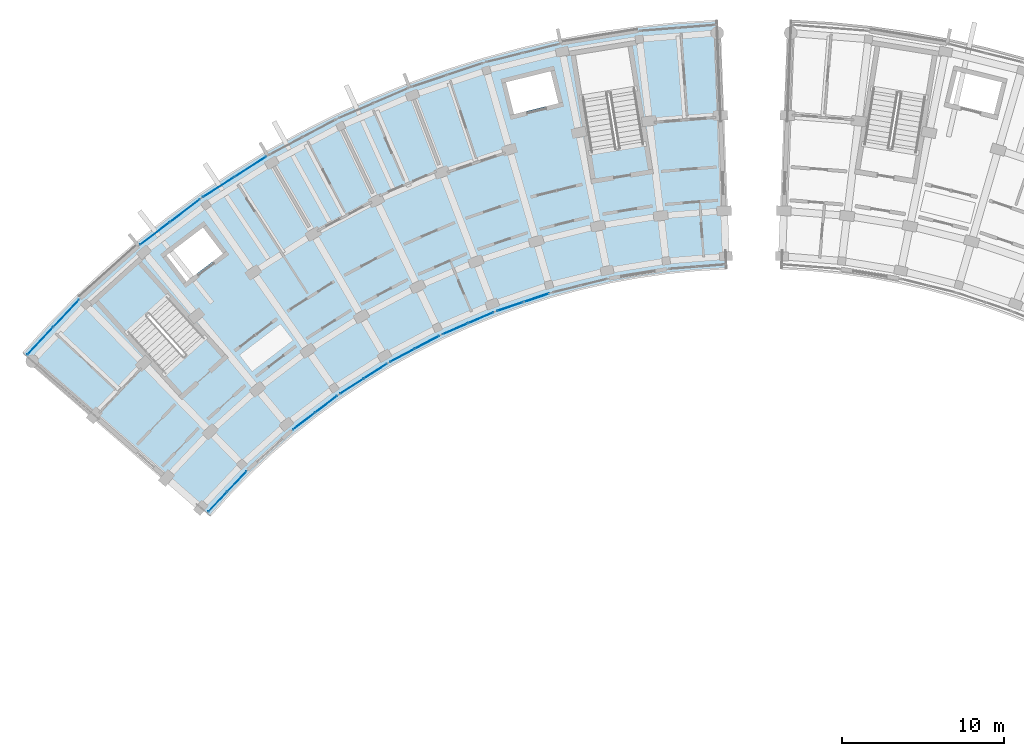
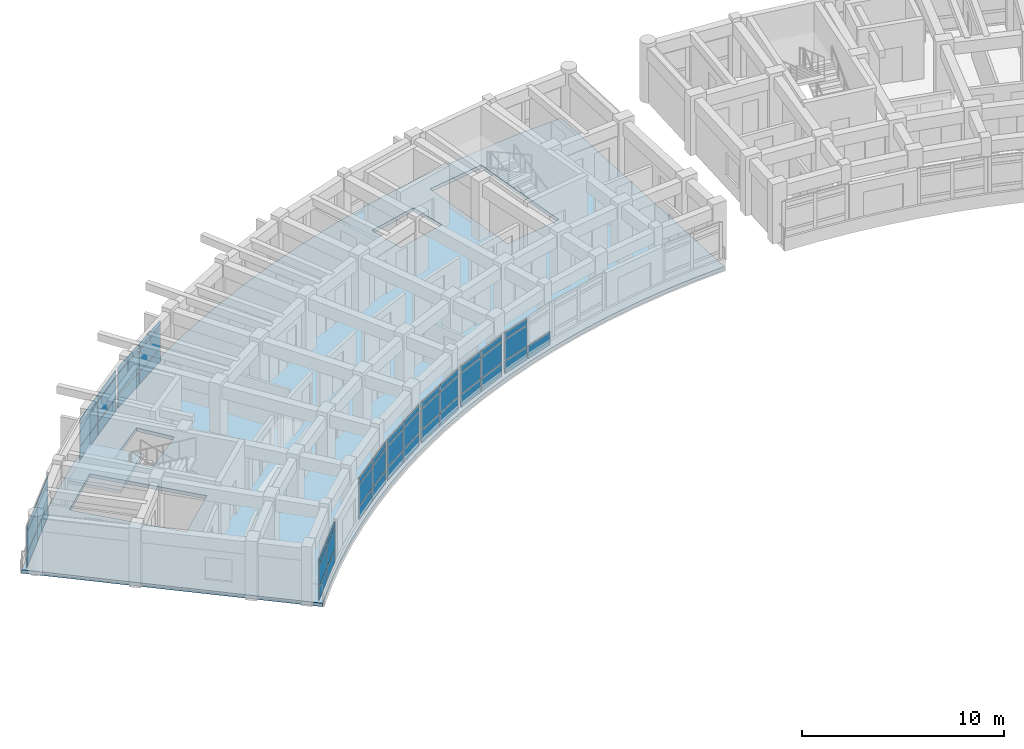
# One storey, part 45 of 83: 52 plates, 2 slabs, 10 elements without a shape of their own.
"""IFC4 building model written with IfcOpenShell, lengths in metres."""

from ifc_helpers import new_model, si_unit, direction, frame, origin, origin_2d, place, context, subcontext, project, spatial, polyline, rectangle, outline, extrude, material, layer, layer_set, type_object, element, aggregate, save


model = new_model("IFC4")

# Units and contexts
model_context = context("Model", 3, precision=1e-05, world=origin(), true_north=direction((0.0, 1.0)))
body_context = subcontext(model_context, "Body", "Model", "MODEL_VIEW")
ifc_project = project(units=[si_unit("LENGTHUNIT", "METRE"), si_unit("AREAUNIT", "SQUARE_METRE"), si_unit("VOLUMEUNIT", "CUBIC_METRE"), si_unit("PLANEANGLEUNIT", "RADIAN"), si_unit("MASSUNIT", "GRAM", prefix="KILO")], contexts=[model_context])

# Site, building, storey
site_placement = place(None, origin())
site = spatial("IfcSite", under=ifc_project, at=site_placement, CompositionType="ELEMENT")
building_placement = place(site_placement, origin())
building = spatial("IfcBuilding", under=site, at=building_placement, Name="Zimvara Arc Housing Community", CompositionType="ELEMENT")
storey_placement = place(building_placement, frame((0.0, 0.0, 4.5)))
storey = spatial("IfcBuildingStorey", under=building, at=storey_placement, Name="L01", CompositionType="ELEMENT", Elevation=4.5)

# Curtain wall, plates
ifc_material_1 = material(Name="Anodised Aluminium AW-6063", Category="aluminium")
curtain_wall_type_1 = type_object("IfcCurtainWallType", Name="CW-SYS-04", PredefinedType="USERDEFINED", material=ifc_material_1)
curtain_wall_1_placement = place(storey_placement, origin())
curtain_wall_1 = element("IfcCurtainWall", 1, at=curtain_wall_1_placement, inside=storey, type_object=curtain_wall_type_1, Name="cw:blkA:L01:in:b2", ObjectType="CURTAIN WALL", PredefinedType="USERDEFINED")
ifc_material_2 = material(Name="Pale-Gold Anodised Aluminium Spandrel Panel", Category="aluminium")
ifc_layer_1 = layer(ifc_material_2, 0.035888671875)
ifc_layer_set_1 = layer_set([ifc_layer_1], Name="Pale-Gold Anodised Aluminium Spandrel Panel")
plate_type_1 = type_object("IfcPlateType", Name="CWP-GLD-36", PredefinedType="CURTAIN_PANEL", material=ifc_layer_set_1)
plate_1_placement = place(storey_placement, frame((17.295654296875, 79.4404296875, 0.06494140625), z_axis=(0.0, 0.0, 1.0), x_axis=(0.795473543119, 0.605988318533, 0.0)))
plate_1 = element("IfcPlate", 2, at=plate_1_placement, type_object=plate_type_1, Name="CW04 panel 1.1", PredefinedType="CURTAIN_PANEL", context=body_context, shape_type="SweptSolid", body=[
    extrude(rectangle(XDim=1.664306640625, YDim=0.035888671875, at=origin_2d()), origin(), (0.0, 0.0, 1.0), 0.75244140625),
])
plate_2_placement = place(storey_placement, frame((17.295654296875, 79.4404296875, 0.88232421875), z_axis=(0.0, 0.0, 1.0), x_axis=(0.795473543119, 0.605988318533, 0.0)))
plate_2 = element("IfcPlate", 3, at=plate_2_placement, type_object=plate_type_1, Name="CW04 panel 1.2", PredefinedType="CURTAIN_PANEL", context=body_context, shape_type="SweptSolid", body=[
    extrude(rectangle(XDim=1.664306640625, YDim=0.035888671875, at=origin_2d()), origin(), (0.0, 0.0, 1.0), 1.235107421875),
])
plate_3_placement = place(storey_placement, frame((17.295654296875, 79.4404296875, 2.182373046875), z_axis=(0.0, 0.0, 1.0), x_axis=(0.795473543119, 0.605988318533, 0.0)))
plate_3 = element("IfcPlate", 4, at=plate_3_placement, type_object=plate_type_1, Name="CW04 panel 1.3", PredefinedType="CURTAIN_PANEL", context=body_context, shape_type="SweptSolid", body=[
    extrude(rectangle(XDim=1.664306640625, YDim=0.035888671875, at=origin_2d()), origin(), (0.0, 0.0, 1.0), 0.3525390625),
])
plate_4_placement = place(storey_placement, frame((18.671142578125, 80.48828125, 0.06494140625), z_axis=(0.0, 0.0, 1.0), x_axis=(0.795473543119, 0.605988318533, 0.0)))
plate_4 = element("IfcPlate", 5, at=plate_4_placement, type_object=plate_type_1, Name="CW04 panel 2.1", PredefinedType="CURTAIN_PANEL", context=body_context, shape_type="SweptSolid", body=[
    extrude(rectangle(XDim=1.664306640625, YDim=0.035888671875, at=origin_2d()), origin(), (0.0, 0.0, 1.0), 0.75244140625),
])
plate_5_placement = place(storey_placement, frame((18.671142578125, 80.48828125, 0.88232421875), z_axis=(0.0, 0.0, 1.0), x_axis=(0.795473543119, 0.605988318533, 0.0)))
plate_5 = element("IfcPlate", 6, at=plate_5_placement, type_object=plate_type_1, Name="CW04 panel 2.2", PredefinedType="CURTAIN_PANEL", context=body_context, shape_type="SweptSolid", body=[
    extrude(rectangle(XDim=1.664306640625, YDim=0.035888671875, at=origin_2d()), origin(), (0.0, 0.0, 1.0), 1.235107421875),
])
plate_6_placement = place(storey_placement, frame((18.671142578125, 80.48828125, 2.182373046875), z_axis=(0.0, 0.0, 1.0), x_axis=(0.795473543119, 0.605988318533, 0.0)))
plate_6 = element("IfcPlate", 7, at=plate_6_placement, type_object=plate_type_1, Name="CW04 panel 2.3", PredefinedType="CURTAIN_PANEL", context=body_context, shape_type="SweptSolid", body=[
    extrude(rectangle(XDim=1.664306640625, YDim=0.035888671875, at=origin_2d()), origin(), (0.0, 0.0, 1.0), 0.3525390625),
])
aggregate(curtain_wall_1, [plate_1, plate_2, plate_3, plate_4, plate_5, plate_6])

ifc_material_3 = material(Name="Anodised Aluminium AW-6063", Category="aluminium")
curtain_wall_type_2 = type_object("IfcCurtainWallType", Name="CW-SYS-08", PredefinedType="USERDEFINED", material=ifc_material_3)
curtain_wall_2_placement = place(storey_placement, origin())
curtain_wall_2 = element("IfcCurtainWall", 8, at=curtain_wall_2_placement, inside=storey, type_object=curtain_wall_type_2, Name="cw:blkA:L01:in:b4", ObjectType="CURTAIN WALL", PredefinedType="USERDEFINED")
plate_7_placement = place(storey_placement, frame((23.346923828125, 83.48095703125, 0.06494140625), z_axis=(0.0, 0.0, 1.0), x_axis=(0.88343981815, 0.468544648573, 0.0)))
plate_7 = element("IfcPlate", 9, at=plate_7_placement, type_object=plate_type_1, Name="CW08 panel 1.1", PredefinedType="CURTAIN_PANEL", context=body_context, shape_type="SweptSolid", body=[
    extrude(rectangle(XDim=1.664306640625, YDim=0.035888671875, at=origin_2d()), origin(), (0.0, 0.0, 1.0), 0.75244140625),
])
plate_8_placement = place(storey_placement, frame((23.346923828125, 83.48095703125, 0.88232421875), z_axis=(0.0, 0.0, 1.0), x_axis=(0.88343981815, 0.468544648573, 0.0)))
plate_8 = element("IfcPlate", 10, at=plate_8_placement, type_object=plate_type_1, Name="CW08 panel 1.2", PredefinedType="CURTAIN_PANEL", context=body_context, shape_type="SweptSolid", body=[
    extrude(rectangle(XDim=1.664306640625, YDim=0.035888671875, at=origin_2d()), origin(), (0.0, 0.0, 1.0), 1.235107421875),
])
plate_9_placement = place(storey_placement, frame((23.346923828125, 83.48095703125, 2.182373046875), z_axis=(0.0, 0.0, 1.0), x_axis=(0.88343981815, 0.468544648573, 0.0)))
plate_9 = element("IfcPlate", 11, at=plate_9_placement, type_object=plate_type_1, Name="CW08 panel 1.3", PredefinedType="CURTAIN_PANEL", context=body_context, shape_type="SweptSolid", body=[
    extrude(rectangle(XDim=1.664306640625, YDim=0.035888671875, at=origin_2d()), origin(), (0.0, 0.0, 1.0), 0.3525390625),
])
plate_10_placement = place(storey_placement, frame((24.874755859375, 84.291259765625, 0.06494140625), z_axis=(0.0, 0.0, 1.0), x_axis=(0.88343981815, 0.468544648573, 0.0)))
plate_10 = element("IfcPlate", 12, at=plate_10_placement, type_object=plate_type_1, Name="CW08 panel 2.1", PredefinedType="CURTAIN_PANEL", context=body_context, shape_type="SweptSolid", body=[
    extrude(rectangle(XDim=1.664306640625, YDim=0.035888671875, at=origin_2d()), origin(), (0.0, 0.0, 1.0), 0.75244140625),
])
plate_11_placement = place(storey_placement, frame((24.874755859375, 84.291259765625, 0.88232421875), z_axis=(0.0, 0.0, 1.0), x_axis=(0.88343981815, 0.468544648573, 0.0)))
plate_11 = element("IfcPlate", 13, at=plate_11_placement, type_object=plate_type_1, Name="CW08 panel 2.2", PredefinedType="CURTAIN_PANEL", context=body_context, shape_type="SweptSolid", body=[
    extrude(rectangle(XDim=1.664306640625, YDim=0.035888671875, at=origin_2d()), origin(), (0.0, 0.0, 1.0), 1.235107421875),
])
plate_12_placement = place(storey_placement, frame((24.874755859375, 84.291259765625, 2.182373046875), z_axis=(0.0, 0.0, 1.0), x_axis=(0.88343981815, 0.468544648573, 0.0)))
plate_12 = element("IfcPlate", 14, at=plate_12_placement, type_object=plate_type_1, Name="CW08 panel 2.3", PredefinedType="CURTAIN_PANEL", context=body_context, shape_type="SweptSolid", body=[
    extrude(rectangle(XDim=1.664306640625, YDim=0.035888671875, at=origin_2d()), origin(), (0.0, 0.0, 1.0), 0.3525390625),
])
aggregate(curtain_wall_2, [plate_7, plate_8, plate_9, plate_10, plate_11, plate_12])

curtain_wall_3_placement = place(storey_placement, origin())
curtain_wall_3 = element("IfcCurtainWall", 15, at=curtain_wall_3_placement, inside=storey, type_object=curtain_wall_type_1, Name="cw:blkA:L01:in:b6", ObjectType="CURTAIN WALL", PredefinedType="USERDEFINED")
plate_13_placement = place(storey_placement, frame((29.97509765625, 86.483642578125, 0.06494140625), z_axis=(0.0, 0.0, 1.0), x_axis=(0.94787908732, 0.318630249383, 0.0)))
plate_13 = element("IfcPlate", 16, at=plate_13_placement, type_object=plate_type_1, Name="CW04 panel 1.1", PredefinedType="CURTAIN_PANEL", context=body_context, shape_type="SweptSolid", body=[
    extrude(rectangle(XDim=1.664306640625, YDim=0.035888671875, at=origin_2d()), origin(), (0.0, 0.0, 1.0), 0.75244140625),
])
plate_14_placement = place(storey_placement, frame((29.97509765625, 86.483642578125, 0.88232421875), z_axis=(0.0, 0.0, 1.0), x_axis=(0.94787908732, 0.318630249383, 0.0)))
plate_14 = element("IfcPlate", 17, at=plate_14_placement, type_object=plate_type_1, Name="CW04 panel 1.2", PredefinedType="CURTAIN_PANEL", context=body_context, shape_type="SweptSolid", body=[
    extrude(rectangle(XDim=1.664306640625, YDim=0.035888671875, at=origin_2d()), origin(), (0.0, 0.0, 1.0), 1.235107421875),
])
plate_15_placement = place(storey_placement, frame((29.97509765625, 86.483642578125, 2.182373046875), z_axis=(0.0, 0.0, 1.0), x_axis=(0.94787908732, 0.318630249383, 0.0)))
plate_15 = element("IfcPlate", 18, at=plate_15_placement, type_object=plate_type_1, Name="CW04 panel 1.3", PredefinedType="CURTAIN_PANEL", context=body_context, shape_type="SweptSolid", body=[
    extrude(rectangle(XDim=1.664306640625, YDim=0.035888671875, at=origin_2d()), origin(), (0.0, 0.0, 1.0), 0.3525390625),
])
plate_16_placement = place(storey_placement, frame((31.6142578125, 87.03466796875, 0.06494140625), z_axis=(0.0, 0.0, 1.0), x_axis=(0.94787908732, 0.318630249383, 0.0)))
plate_16 = element("IfcPlate", 19, at=plate_16_placement, type_object=plate_type_1, Name="CW04 panel 2.1", PredefinedType="CURTAIN_PANEL", context=body_context, shape_type="SweptSolid", body=[
    extrude(rectangle(XDim=1.664306640625, YDim=0.035888671875, at=origin_2d()), origin(), (0.0, 0.0, 1.0), 0.75244140625),
])
aggregate(curtain_wall_3, [plate_13, plate_14, plate_15, plate_16])

ifc_material_4 = material(Name="Anodised Aluminium AW-6063", Category="aluminium")
curtain_wall_type_3 = type_object("IfcCurtainWallType", Name="CW-SYS-01", PredefinedType="USERDEFINED", material=ifc_material_4)
curtain_wall_4_placement = place(storey_placement, origin())
curtain_wall_4 = element("IfcCurtainWall", 20, at=curtain_wall_4_placement, inside=storey, type_object=curtain_wall_type_3, Name="cw:blkA:L01:out:b0", ObjectType="CURTAIN WALL", PredefinedType="USERDEFINED")
ifc_material_5 = material(Name="Solar Control Low-E Double Glazing", Category="glass")
ifc_layer_2 = layer(ifc_material_5, 0.02392578125)
ifc_layer_set_2 = layer_set([ifc_layer_2], Name="Solar Control Low-E Double Glazing")
plate_type_2 = type_object("IfcPlateType", Name="CWP-GLZ-24", PredefinedType="CURTAIN_PANEL", material=ifc_layer_set_2)
plate_17_placement = place(storey_placement, frame((1.049072265625, 84.3720703125, 0.06494140625), z_axis=(0.0, 0.0, 1.0), x_axis=(0.686326416495, 0.727293647725, 0.0)))
plate_17 = element("IfcPlate", 21, at=plate_17_placement, type_object=plate_type_2, Name="CW01 panel 1.1", PredefinedType="CURTAIN_PANEL", context=body_context, shape_type="SweptSolid", body=[
    extrude(rectangle(XDim=2.266845703125, YDim=0.02392578125, at=origin_2d()), origin(), (0.0, 0.0, 1.0), 0.75244140625),
])
plate_18_placement = place(storey_placement, frame((1.049072265625, 84.3720703125, 0.88232421875), z_axis=(0.0, 0.0, 1.0), x_axis=(0.686326416495, 0.727293647725, 0.0)))
plate_18 = element("IfcPlate", 22, at=plate_18_placement, type_object=plate_type_2, Name="CW01 panel 1.2", PredefinedType="CURTAIN_PANEL", context=body_context, shape_type="SweptSolid", body=[
    extrude(rectangle(XDim=2.266845703125, YDim=0.02392578125, at=origin_2d()), origin(), (0.0, 0.0, 1.0), 1.235107421875),
])
plate_19_placement = place(storey_placement, frame((1.049072265625, 84.3720703125, 2.182373046875), z_axis=(0.0, 0.0, 1.0), x_axis=(0.686326416495, 0.727293647725, 0.0)))
plate_19 = element("IfcPlate", 23, at=plate_19_placement, type_object=plate_type_2, Name="CW01 panel 1.3", PredefinedType="CURTAIN_PANEL", context=body_context, shape_type="SweptSolid", body=[
    extrude(rectangle(XDim=2.266845703125, YDim=0.02392578125, at=origin_2d()), origin(), (0.0, 0.0, 1.0), 0.3525390625),
])
plate_20_placement = place(storey_placement, frame((2.649658203125, 86.068115234375, 0.06494140625), z_axis=(0.0, 0.0, 1.0), x_axis=(0.686326416495, 0.727293647725, 0.0)))
plate_20 = element("IfcPlate", 24, at=plate_20_placement, type_object=plate_type_2, Name="CW01 panel 2.1", PredefinedType="CURTAIN_PANEL", context=body_context, shape_type="SweptSolid", body=[
    extrude(rectangle(XDim=2.266845703125, YDim=0.02392578125, at=origin_2d()), origin(), (0.0, 0.0, 1.0), 0.75244140625),
])
plate_21_placement = place(storey_placement, frame((2.649658203125, 86.068115234375, 0.88232421875), z_axis=(0.0, 0.0, 1.0), x_axis=(0.686326416495, 0.727293647725, 0.0)))
plate_21 = element("IfcPlate", 25, at=plate_21_placement, type_object=plate_type_2, Name="CW01 panel 2.2", PredefinedType="CURTAIN_PANEL", context=body_context, shape_type="SweptSolid", body=[
    extrude(rectangle(XDim=2.266845703125, YDim=0.02392578125, at=origin_2d()), origin(), (0.0, 0.0, 1.0), 1.235107421875),
])
plate_22_placement = place(storey_placement, frame((2.649658203125, 86.068115234375, 2.182373046875), z_axis=(0.0, 0.0, 1.0), x_axis=(0.686326416495, 0.727293647725, 0.0)))
plate_22 = element("IfcPlate", 26, at=plate_22_placement, type_object=plate_type_2, Name="CW01 panel 2.3", PredefinedType="CURTAIN_PANEL", context=body_context, shape_type="SweptSolid", body=[
    extrude(rectangle(XDim=2.266845703125, YDim=0.02392578125, at=origin_2d()), origin(), (0.0, 0.0, 1.0), 0.3525390625),
])
aggregate(curtain_wall_4, [plate_17, plate_18, plate_19, plate_20, plate_21, plate_22])

ifc_material_6 = material(Name="Anodised Aluminium AW-6063", Category="aluminium")
curtain_wall_type_4 = type_object("IfcCurtainWallType", Name="CW-SYS-05", PredefinedType="USERDEFINED", material=ifc_material_6)
curtain_wall_5_placement = place(storey_placement, origin())
curtain_wall_5 = element("IfcCurtainWall", 27, at=curtain_wall_5_placement, inside=storey, type_object=curtain_wall_type_4, Name="cw:blkA:L01:out:b3", ObjectType="CURTAIN WALL", PredefinedType="USERDEFINED")
plate_23_placement = place(storey_placement, frame((12.034912109375, 93.843505859375, 0.06494140625), z_axis=(0.0, 0.0, 1.0), x_axis=(0.842264410931, 0.539064617721, 0.0)))
plate_23 = element("IfcPlate", 28, at=plate_23_placement, type_object=plate_type_2, Name="CW05 panel 1.1", PredefinedType="CURTAIN_PANEL", context=body_context, shape_type="SweptSolid", body=[
    extrude(rectangle(XDim=2.266845703125, YDim=0.02392578125, at=origin_2d()), origin(), (0.0, 0.0, 1.0), 0.75244140625),
])
plate_24_placement = place(storey_placement, frame((12.034912109375, 93.843505859375, 0.88232421875), z_axis=(0.0, 0.0, 1.0), x_axis=(0.842264410931, 0.539064617721, 0.0)))
plate_24 = element("IfcPlate", 29, at=plate_24_placement, type_object=plate_type_2, Name="CW05 panel 1.2", PredefinedType="CURTAIN_PANEL", context=body_context, shape_type="SweptSolid", body=[
    extrude(rectangle(XDim=2.266845703125, YDim=0.02392578125, at=origin_2d()), origin(), (0.0, 0.0, 1.0), 1.235107421875),
])
plate_25_placement = place(storey_placement, frame((12.034912109375, 93.843505859375, 2.182373046875), z_axis=(0.0, 0.0, 1.0), x_axis=(0.842264410931, 0.539064617721, 0.0)))
plate_25 = element("IfcPlate", 30, at=plate_25_placement, type_object=plate_type_2, Name="CW05 panel 1.3", PredefinedType="CURTAIN_PANEL", context=body_context, shape_type="SweptSolid", body=[
    extrude(rectangle(XDim=2.266845703125, YDim=0.02392578125, at=origin_2d()), origin(), (0.0, 0.0, 1.0), 0.3525390625),
])
plate_26_placement = place(storey_placement, frame((13.9990234375, 95.1005859375, 0.06494140625), z_axis=(0.0, 0.0, 1.0), x_axis=(0.842264410931, 0.539064617721, 0.0)))
plate_26 = element("IfcPlate", 31, at=plate_26_placement, type_object=plate_type_2, Name="CW05 panel 2.1", PredefinedType="CURTAIN_PANEL", context=body_context, shape_type="SweptSolid", body=[
    extrude(rectangle(XDim=2.266845703125, YDim=0.02392578125, at=origin_2d()), origin(), (0.0, 0.0, 1.0), 0.75244140625),
])
plate_27_placement = place(storey_placement, frame((13.9990234375, 95.1005859375, 0.88232421875), z_axis=(0.0, 0.0, 1.0), x_axis=(0.842264410931, 0.539064617721, 0.0)))
plate_27 = element("IfcPlate", 32, at=plate_27_placement, type_object=plate_type_2, Name="CW05 panel 2.2", PredefinedType="CURTAIN_PANEL", context=body_context, shape_type="SweptSolid", body=[
    extrude(rectangle(XDim=2.266845703125, YDim=0.02392578125, at=origin_2d()), origin(), (0.0, 0.0, 1.0), 1.235107421875),
])
plate_28_placement = place(storey_placement, frame((13.9990234375, 95.1005859375, 2.182373046875), z_axis=(0.0, 0.0, 1.0), x_axis=(0.842264410931, 0.539064617721, 0.0)))
plate_28 = element("IfcPlate", 33, at=plate_28_placement, type_object=plate_type_2, Name="CW05 panel 2.3", PredefinedType="CURTAIN_PANEL", context=body_context, shape_type="SweptSolid", body=[
    extrude(rectangle(XDim=2.266845703125, YDim=0.02392578125, at=origin_2d()), origin(), (0.0, 0.0, 1.0), 0.3525390625),
])
aggregate(curtain_wall_5, [plate_23, plate_24, plate_25, plate_26, plate_27, plate_28])

ifc_material_7 = material(Name="Anodised Aluminium AW-6063", Category="aluminium")
curtain_wall_type_5 = type_object("IfcCurtainWallType", Name="CW-SYS-02", PredefinedType="USERDEFINED", material=ifc_material_7)
curtain_wall_6_placement = place(storey_placement, origin())
curtain_wall_6 = element("IfcCurtainWall", 34, at=curtain_wall_6_placement, inside=storey, type_object=curtain_wall_type_5, Name="cw:blkA:L01:in:b0", ObjectType="CURTAIN WALL", PredefinedType="USERDEFINED")
ifc_material_8 = material(Name="Solar Control Low-E Double Glazing", Category="glass")
ifc_layer_3 = layer(ifc_material_8, 0.028076171875)
ifc_layer_set_3 = layer_set([ifc_layer_3], Name="Solar Control Low-E Double Glazing")
plate_type_3 = type_object("IfcPlateType", Name="CWP-GLZ-28", PredefinedType="CURTAIN_PANEL", material=ifc_layer_set_3)
plate_29_placement = place(storey_placement, frame((11.981689453125, 74.469482421875, 0.06494140625), z_axis=(0.0, 0.0, 1.0), x_axis=(0.686326805658, 0.727293280483, 0.0)))
plate_29 = element("IfcPlate", 35, at=plate_29_placement, type_object=plate_type_3, Name="CW02 panel 1.1", PredefinedType="CURTAIN_PANEL", context=body_context, shape_type="SweptSolid", body=[
    extrude(rectangle(XDim=1.664306640625, YDim=0.028076171875, at=origin_2d()), origin(), (0.0, 0.0, 1.0), 0.75244140625),
])
plate_30_placement = place(storey_placement, frame((11.981689453125, 74.469482421875, 0.88232421875), z_axis=(0.0, 0.0, 1.0), x_axis=(0.686326805658, 0.727293280483, 0.0)))
plate_30 = element("IfcPlate", 36, at=plate_30_placement, type_object=plate_type_3, Name="CW02 panel 1.2", PredefinedType="CURTAIN_PANEL", context=body_context, shape_type="SweptSolid", body=[
    extrude(rectangle(XDim=1.664306640625, YDim=0.028076171875, at=origin_2d()), origin(), (0.0, 0.0, 1.0), 1.235107421875),
])
plate_31_placement = place(storey_placement, frame((11.981689453125, 74.469482421875, 2.182373046875), z_axis=(0.0, 0.0, 1.0), x_axis=(0.686326805658, 0.727293280483, 0.0)))
plate_31 = element("IfcPlate", 37, at=plate_31_placement, type_object=plate_type_3, Name="CW02 panel 1.3", PredefinedType="CURTAIN_PANEL", context=body_context, shape_type="SweptSolid", body=[
    extrude(rectangle(XDim=1.664306640625, YDim=0.028076171875, at=origin_2d()), origin(), (0.0, 0.0, 1.0), 0.3525390625),
])
plate_32_placement = place(storey_placement, frame((13.168701171875, 75.727294921875, 0.06494140625), z_axis=(0.0, 0.0, 1.0), x_axis=(0.686326805658, 0.727293280483, 0.0)))
plate_32 = element("IfcPlate", 38, at=plate_32_placement, type_object=plate_type_3, Name="CW02 panel 2.1", PredefinedType="CURTAIN_PANEL", context=body_context, shape_type="SweptSolid", body=[
    extrude(rectangle(XDim=1.664306640625, YDim=0.028076171875, at=origin_2d()), origin(), (0.0, 0.0, 1.0), 0.75244140625),
])
plate_33_placement = place(storey_placement, frame((13.168701171875, 75.727294921875, 0.88232421875), z_axis=(0.0, 0.0, 1.0), x_axis=(0.686326805658, 0.727293280483, 0.0)))
plate_33 = element("IfcPlate", 39, at=plate_33_placement, type_object=plate_type_3, Name="CW02 panel 2.2", PredefinedType="CURTAIN_PANEL", context=body_context, shape_type="SweptSolid", body=[
    extrude(rectangle(XDim=1.664306640625, YDim=0.028076171875, at=origin_2d()), origin(), (0.0, 0.0, 1.0), 1.235107421875),
])
plate_34_placement = place(storey_placement, frame((13.168701171875, 75.727294921875, 2.182373046875), z_axis=(0.0, 0.0, 1.0), x_axis=(0.686326805658, 0.727293280483, 0.0)))
plate_34 = element("IfcPlate", 40, at=plate_34_placement, type_object=plate_type_3, Name="CW02 panel 2.3", PredefinedType="CURTAIN_PANEL", context=body_context, shape_type="SweptSolid", body=[
    extrude(rectangle(XDim=1.664306640625, YDim=0.028076171875, at=origin_2d()), origin(), (0.0, 0.0, 1.0), 0.3525390625),
])
aggregate(curtain_wall_6, [plate_29, plate_30, plate_31, plate_32, plate_33, plate_34])

ifc_material_9 = material(Name="Anodised Aluminium AW-6063", Category="aluminium")
curtain_wall_type_6 = type_object("IfcCurtainWallType", Name="CW-SYS-06", PredefinedType="USERDEFINED", material=ifc_material_9)
curtain_wall_7_placement = place(storey_placement, origin())
curtain_wall_7 = element("IfcCurtainWall", 41, at=curtain_wall_7_placement, inside=storey, type_object=curtain_wall_type_6, Name="cw:blkA:L01:in:b3", ObjectType="CURTAIN WALL", PredefinedType="USERDEFINED")
plate_35_placement = place(storey_placement, frame((20.23876953125, 81.58447265625, 0.06494140625), z_axis=(0.0, 0.0, 1.0), x_axis=(0.842264751752, 0.539064085203, 0.0)))
plate_35 = element("IfcPlate", 42, at=plate_35_placement, type_object=plate_type_3, Name="CW06 panel 1.1", PredefinedType="CURTAIN_PANEL", context=body_context, shape_type="SweptSolid", body=[
    extrude(rectangle(XDim=1.664306640625, YDim=0.028076171875, at=origin_2d()), origin(), (0.0, 0.0, 1.0), 0.75244140625),
])
plate_36_placement = place(storey_placement, frame((20.23876953125, 81.58447265625, 0.88232421875), z_axis=(0.0, 0.0, 1.0), x_axis=(0.842264751752, 0.539064085203, 0.0)))
plate_36 = element("IfcPlate", 43, at=plate_36_placement, type_object=plate_type_3, Name="CW06 panel 1.2", PredefinedType="CURTAIN_PANEL", context=body_context, shape_type="SweptSolid", body=[
    extrude(rectangle(XDim=1.664306640625, YDim=0.028076171875, at=origin_2d()), origin(), (0.0, 0.0, 1.0), 1.235107421875),
])
plate_37_placement = place(storey_placement, frame((20.23876953125, 81.58447265625, 2.182373046875), z_axis=(0.0, 0.0, 1.0), x_axis=(0.842264751752, 0.539064085203, 0.0)))
plate_37 = element("IfcPlate", 44, at=plate_37_placement, type_object=plate_type_3, Name="CW06 panel 1.3", PredefinedType="CURTAIN_PANEL", context=body_context, shape_type="SweptSolid", body=[
    extrude(rectangle(XDim=1.664306640625, YDim=0.028076171875, at=origin_2d()), origin(), (0.0, 0.0, 1.0), 0.3525390625),
])
plate_38_placement = place(storey_placement, frame((21.6953125, 82.5166015625, 0.06494140625), z_axis=(0.0, 0.0, 1.0), x_axis=(0.842264751752, 0.539064085203, 0.0)))
plate_38 = element("IfcPlate", 45, at=plate_38_placement, type_object=plate_type_3, Name="CW06 panel 2.1", PredefinedType="CURTAIN_PANEL", context=body_context, shape_type="SweptSolid", body=[
    extrude(rectangle(XDim=1.664306640625, YDim=0.028076171875, at=origin_2d()), origin(), (0.0, 0.0, 1.0), 0.75244140625),
])
plate_39_placement = place(storey_placement, frame((21.6953125, 82.5166015625, 0.88232421875), z_axis=(0.0, 0.0, 1.0), x_axis=(0.842264751752, 0.539064085203, 0.0)))
plate_39 = element("IfcPlate", 46, at=plate_39_placement, type_object=plate_type_3, Name="CW06 panel 2.2", PredefinedType="CURTAIN_PANEL", context=body_context, shape_type="SweptSolid", body=[
    extrude(rectangle(XDim=1.664306640625, YDim=0.028076171875, at=origin_2d()), origin(), (0.0, 0.0, 1.0), 1.235107421875),
])
plate_40_placement = place(storey_placement, frame((21.6953125, 82.5166015625, 2.182373046875), z_axis=(0.0, 0.0, 1.0), x_axis=(0.842264751752, 0.539064085203, 0.0)))
plate_40 = element("IfcPlate", 47, at=plate_40_placement, type_object=plate_type_3, Name="CW06 panel 2.3", PredefinedType="CURTAIN_PANEL", context=body_context, shape_type="SweptSolid", body=[
    extrude(rectangle(XDim=1.664306640625, YDim=0.028076171875, at=origin_2d()), origin(), (0.0, 0.0, 1.0), 0.3525390625),
])
aggregate(curtain_wall_7, [plate_35, plate_36, plate_37, plate_38, plate_39, plate_40])

curtain_wall_8_placement = place(storey_placement, origin())
curtain_wall_8 = element("IfcCurtainWall", 48, at=curtain_wall_8_placement, inside=storey, type_object=curtain_wall_type_5, Name="cw:blkA:L01:in:b5", ObjectType="CURTAIN WALL", PredefinedType="USERDEFINED")
plate_41_placement = place(storey_placement, frame((26.599609375, 85.11767578125, 0.06494140625), z_axis=(0.0, 0.0, 1.0), x_axis=(0.918722178415, 0.394904493375, 0.0)))
plate_41 = element("IfcPlate", 49, at=plate_41_placement, type_object=plate_type_3, Name="CW02 panel 1.1", PredefinedType="CURTAIN_PANEL", context=body_context, shape_type="SweptSolid", body=[
    extrude(rectangle(XDim=1.664306640625, YDim=0.028076171875, at=origin_2d()), origin(), (0.0, 0.0, 1.0), 0.75244140625),
])
plate_42_placement = place(storey_placement, frame((26.599609375, 85.11767578125, 0.88232421875), z_axis=(0.0, 0.0, 1.0), x_axis=(0.918722178415, 0.394904493375, 0.0)))
plate_42 = element("IfcPlate", 50, at=plate_42_placement, type_object=plate_type_3, Name="CW02 panel 1.2", PredefinedType="CURTAIN_PANEL", context=body_context, shape_type="SweptSolid", body=[
    extrude(rectangle(XDim=1.664306640625, YDim=0.028076171875, at=origin_2d()), origin(), (0.0, 0.0, 1.0), 1.235107421875),
])
plate_43_placement = place(storey_placement, frame((26.599609375, 85.11767578125, 2.182373046875), z_axis=(0.0, 0.0, 1.0), x_axis=(0.918722178415, 0.394904493375, 0.0)))
plate_43 = element("IfcPlate", 51, at=plate_43_placement, type_object=plate_type_3, Name="CW02 panel 1.3", PredefinedType="CURTAIN_PANEL", context=body_context, shape_type="SweptSolid", body=[
    extrude(rectangle(XDim=1.664306640625, YDim=0.028076171875, at=origin_2d()), origin(), (0.0, 0.0, 1.0), 0.3525390625),
])
plate_44_placement = place(storey_placement, frame((28.1884765625, 85.80078125, 0.06494140625), z_axis=(0.0, 0.0, 1.0), x_axis=(0.918722178415, 0.394904493375, 0.0)))
plate_44 = element("IfcPlate", 52, at=plate_44_placement, type_object=plate_type_3, Name="CW02 panel 2.1", PredefinedType="CURTAIN_PANEL", context=body_context, shape_type="SweptSolid", body=[
    extrude(rectangle(XDim=1.664306640625, YDim=0.028076171875, at=origin_2d()), origin(), (0.0, 0.0, 1.0), 0.75244140625),
])
plate_45_placement = place(storey_placement, frame((28.1884765625, 85.80078125, 0.88232421875), z_axis=(0.0, 0.0, 1.0), x_axis=(0.918722178415, 0.394904493375, 0.0)))
plate_45 = element("IfcPlate", 53, at=plate_45_placement, type_object=plate_type_3, Name="CW02 panel 2.2", PredefinedType="CURTAIN_PANEL", context=body_context, shape_type="SweptSolid", body=[
    extrude(rectangle(XDim=1.664306640625, YDim=0.028076171875, at=origin_2d()), origin(), (0.0, 0.0, 1.0), 1.235107421875),
])
plate_46_placement = place(storey_placement, frame((28.1884765625, 85.80078125, 2.182373046875), z_axis=(0.0, 0.0, 1.0), x_axis=(0.918722178415, 0.394904493375, 0.0)))
plate_46 = element("IfcPlate", 54, at=plate_46_placement, type_object=plate_type_3, Name="CW02 panel 2.3", PredefinedType="CURTAIN_PANEL", context=body_context, shape_type="SweptSolid", body=[
    extrude(rectangle(XDim=1.664306640625, YDim=0.028076171875, at=origin_2d()), origin(), (0.0, 0.0, 1.0), 0.3525390625),
])
aggregate(curtain_wall_8, [plate_41, plate_42, plate_43, plate_44, plate_45, plate_46])

ifc_material_10 = material(Name="Anodised Aluminium AW-6063", Category="aluminium")
curtain_wall_type_7 = type_object("IfcCurtainWallType", Name="CW-SYS-03", PredefinedType="USERDEFINED", material=ifc_material_10)
curtain_wall_9_placement = place(storey_placement, origin())
curtain_wall_9 = element("IfcCurtainWall", 55, at=curtain_wall_9_placement, inside=storey, type_object=curtain_wall_type_7, Name="cw:blkA:L01:out:b2", ObjectType="CURTAIN WALL", PredefinedType="USERDEFINED")
ifc_material_11 = material(Name="Acoustic Laminated Solar Glazing", Category="glass")
ifc_layer_4 = layer(ifc_material_11, 0.031982421875)
ifc_layer_set_4 = layer_set([ifc_layer_4], Name="Acoustic Laminated Solar Glazing")
plate_type_4 = type_object("IfcPlateType", Name="CWP-GLZ-32", PredefinedType="CURTAIN_PANEL", material=ifc_layer_set_4)
plate_47_placement = place(storey_placement, frame((8.118896484375, 90.9892578125, 0.06494140625), z_axis=(0.0, 0.0, 1.0), x_axis=(0.795473999177, 0.60598771987, 0.0)))
plate_47 = element("IfcPlate", 56, at=plate_47_placement, type_object=plate_type_4, Name="CW03 panel 1.1", PredefinedType="CURTAIN_PANEL", context=body_context, shape_type="SweptSolid", body=[
    extrude(rectangle(XDim=2.266845703125, YDim=0.031982421875, at=origin_2d()), origin(), (0.0, 0.0, 1.0), 0.75244140625),
])
plate_48_placement = place(storey_placement, frame((8.118896484375, 90.9892578125, 0.88232421875), z_axis=(0.0, 0.0, 1.0), x_axis=(0.795473999177, 0.60598771987, 0.0)))
plate_48 = element("IfcPlate", 57, at=plate_48_placement, type_object=plate_type_4, Name="CW03 panel 1.2", PredefinedType="CURTAIN_PANEL", context=body_context, shape_type="SweptSolid", body=[
    extrude(rectangle(XDim=2.266845703125, YDim=0.031982421875, at=origin_2d()), origin(), (0.0, 0.0, 1.0), 1.235107421875),
])
plate_49_placement = place(storey_placement, frame((8.118896484375, 90.9892578125, 2.182373046875), z_axis=(0.0, 0.0, 1.0), x_axis=(0.795473999177, 0.60598771987, 0.0)))
plate_49 = element("IfcPlate", 58, at=plate_49_placement, type_object=plate_type_4, Name="CW03 panel 1.3", PredefinedType="CURTAIN_PANEL", context=body_context, shape_type="SweptSolid", body=[
    extrude(rectangle(XDim=2.266845703125, YDim=0.031982421875, at=origin_2d()), origin(), (0.0, 0.0, 1.0), 0.3525390625),
])
plate_50_placement = place(storey_placement, frame((9.973876953125, 92.40234375, 0.06494140625), z_axis=(0.0, 0.0, 1.0), x_axis=(0.795473999177, 0.60598771987, 0.0)))
plate_50 = element("IfcPlate", 59, at=plate_50_placement, type_object=plate_type_4, Name="CW03 panel 2.1", PredefinedType="CURTAIN_PANEL", context=body_context, shape_type="SweptSolid", body=[
    extrude(rectangle(XDim=2.266845703125, YDim=0.031982421875, at=origin_2d()), origin(), (0.0, 0.0, 1.0), 0.75244140625),
])
plate_51_placement = place(storey_placement, frame((9.973876953125, 92.40234375, 0.88232421875), z_axis=(0.0, 0.0, 1.0), x_axis=(0.795473999177, 0.60598771987, 0.0)))
plate_51 = element("IfcPlate", 60, at=plate_51_placement, type_object=plate_type_4, Name="CW03 panel 2.2", PredefinedType="CURTAIN_PANEL", context=body_context, shape_type="SweptSolid", body=[
    extrude(rectangle(XDim=2.266845703125, YDim=0.031982421875, at=origin_2d()), origin(), (0.0, 0.0, 1.0), 1.235107421875),
])
plate_52_placement = place(storey_placement, frame((9.973876953125, 92.40234375, 2.182373046875), z_axis=(0.0, 0.0, 1.0), x_axis=(0.795473999177, 0.60598771987, 0.0)))
plate_52 = element("IfcPlate", 61, at=plate_52_placement, type_object=plate_type_4, Name="CW03 panel 2.3", PredefinedType="CURTAIN_PANEL", context=body_context, shape_type="SweptSolid", body=[
    extrude(rectangle(XDim=2.266845703125, YDim=0.031982421875, at=origin_2d()), origin(), (0.0, 0.0, 1.0), 0.3525390625),
])
aggregate(curtain_wall_9, [plate_47, plate_48, plate_49, plate_50, plate_51, plate_52])

# Stair, slab
ifc_material_12 = material(Name="Concrete C35/45", Category="concrete")
stair_type = type_object("IfcStairType", Name="STR-DL-312-360", PredefinedType="HALF_TURN_STAIR", material=ifc_material_12)
stair_placement = place(storey_placement, origin())
stair = element("IfcStair", 62, at=stair_placement, inside=storey, type_object=stair_type, Name="L01 Block A Exit Stair 1", PredefinedType="HALF_TURN_STAIR")
ifc_material_13 = material(Name="Concrete C35/45", Category="concrete")
ifc_layer_5 = layer(ifc_material_13, 0.199951171875)
ifc_layer_set_5 = layer_set([ifc_layer_5], Name="Concrete C35/45")
slab_type_1 = type_object("IfcSlabType", Name="SLB-STAIR-LND-200", PredefinedType="LANDING", material=ifc_layer_set_5)
slab_1_placement = place(storey_placement, frame((0.0, 0.0, 1.60009765625)))
slab_1 = element("IfcSlab", 63, at=slab_1_placement, type_object=slab_type_1, Name="ST-A1 landing 1", PredefinedType="LANDING", context=body_context, shape_type="SweptSolid", body=[
    extrude(outline(polyline([(8.93115234375, 87.098388671875), (7.09326171875, 89.14111328125), (4.595458984375, 86.8935546875), (6.433349609375, 84.850830078125), (8.93115234375, 87.098388671875)])), origin(), (0.0, 0.0, 1.0), 0.199951171875),
])
aggregate(stair, [slab_1])

# Slab
ifc_material_14 = material(Name="Concrete C35/45", Category="concrete")
ifc_layer_6 = layer(ifc_material_14, 0.214111328125)
ifc_layer_set_6 = layer_set([ifc_layer_6], Name="Concrete C35/45")
slab_type_2 = type_object("IfcSlabType", Name="SLB-VAR-02", PredefinedType="FLOOR", material=ifc_layer_set_6)
slab_2_placement = place(storey_placement, frame((0.0, 0.0, -0.214111328125)))
element("IfcSlab", 64, at=slab_2_placement, inside=storey, type_object=slab_type_2, Name="slab:blkA:L01:main", PredefinedType="FLOOR", context=body_context, shape_type="SweptSolid", body=[
    extrude(outline(polyline([(11.490966796875, 73.62890625), (12.708251953125, 74.972900390625), (13.979248046875, 76.265869140625), (15.302001953125, 77.506103515625), (16.674560546875, 78.69091796875), (18.093994140625, 79.819091796875), (19.55859375, 80.88818359375), (21.0654296875, 81.896484375), (22.6123046875, 82.842529296875), (24.196533203125, 83.724609375), (25.8154296875, 84.541259765625), (27.46630859375, 85.291259765625), (29.146240234375, 85.97314453125), (30.852783203125, 86.5859375), (32.5830078125, 87.12841796875), (34.333984375, 87.599853515625), (36.1025390625, 87.999267578125), (37.885986328125, 88.326416015625), (39.681396484375, 88.580322265625), (41.485595703125, 88.7607421875), (43.295654296875, 88.8671875), (42.712158203125, 104.05615234375), (40.282470703125, 103.9130859375), (37.860595703125, 103.6708984375), (35.450439453125, 103.330078125), (33.056640625, 102.89111328125), (30.682373046875, 102.354736328125), (28.332275390625, 101.721923828125), (26.009765625, 100.99365234375), (23.718994140625, 100.171142578125), (21.463623046875, 99.255859375), (19.247802734375, 98.249267578125), (17.07470703125, 97.15283203125), (14.947998046875, 95.96875), (12.871826171875, 94.698974609375), (10.848876953125, 93.34521484375), (8.883056640625, 91.91015625), (6.9775390625, 90.39599609375), (5.13525390625, 88.805419921875), (3.359619140625, 87.140869140625), (1.6533203125, 85.405029296875), (0.019287109375, 83.60107421875), (11.490966796875, 73.62890625)]), holes=[polyline([(8.73193359375, 82.356201171875), (4.65185546875, 86.890625), (7.090087890625, 89.08447265625), (11.17041015625, 84.550048828125), (8.73193359375, 82.356201171875)]), polyline([(34.9853515625, 95.960205078125), (34.008056640625, 101.9814453125), (37.24560546875, 102.507080078125), (38.222900390625, 96.48583984375), (34.9853515625, 95.960205078125)]), polyline([(10.05615234375, 88.02685546875), (8.820068359375, 89.649658203125), (11.0791015625, 91.37060546875), (12.3154296875, 89.747802734375), (10.05615234375, 88.02685546875)]), polyline([(30.216796875, 98.324951171875), (29.726806640625, 100.30517578125), (32.483642578125, 100.9873046875), (32.9736328125, 99.007080078125), (30.216796875, 98.324951171875)])]), origin(), (0.0, 0.0, 1.0), 0.214111328125),
])

save(model, "model.ifc")
